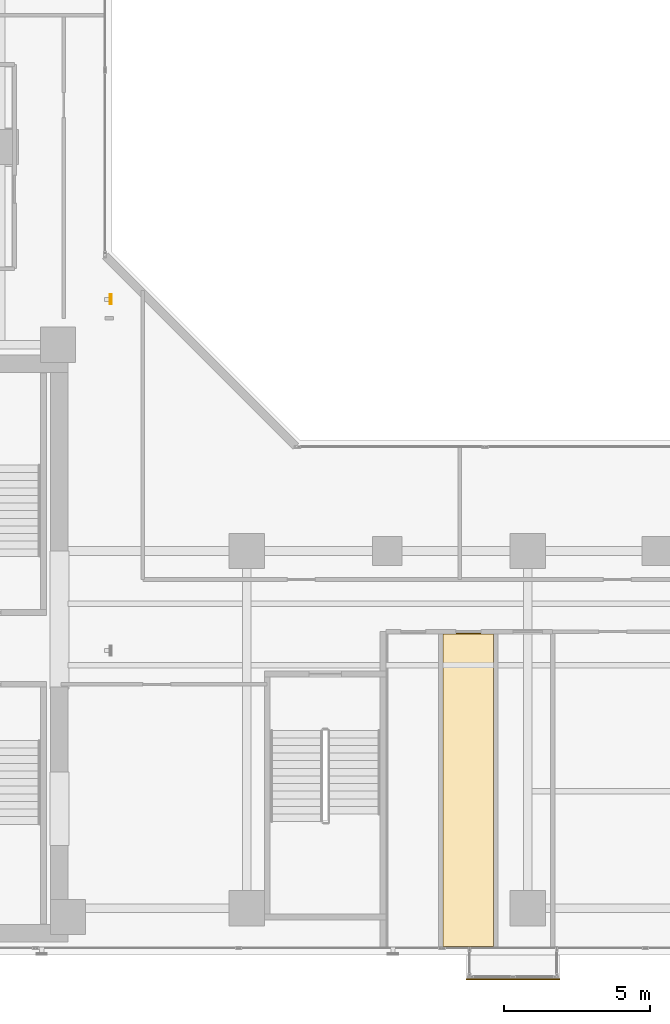
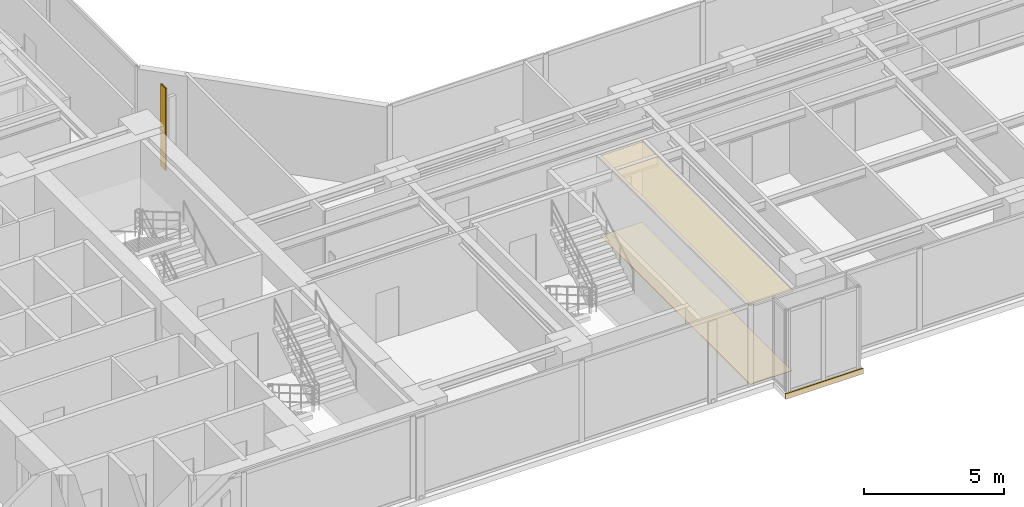
# One storey, part 27 of 28: 3 coverings, 1 shading device.
"""IFC4 building model written with IfcOpenShell, lengths in metres."""

from ifc_helpers import new_model, si_unit, direction, frame, origin, origin_2d, place, context, subcontext, project, spatial, polyline, rectangle, hollow_rectangle, outline, extrude, material, layer, layer_set, material_profile, profile_set, type_object, element, save


model = new_model("IFC4")

# Units and contexts
model_context = context("Model", 3, precision=1e-05, world=origin(), true_north=direction((0.0, 1.0)))
body_context = subcontext(model_context, "Body", "Model", "MODEL_VIEW")
ifc_project = project(units=[si_unit("LENGTHUNIT", "METRE"), si_unit("AREAUNIT", "SQUARE_METRE"), si_unit("VOLUMEUNIT", "CUBIC_METRE"), si_unit("PLANEANGLEUNIT", "RADIAN"), si_unit("MASSUNIT", "GRAM", prefix="KILO")], contexts=[model_context])

# Site, building, storey
site_placement = place(None, origin())
site = spatial("IfcSite", under=ifc_project, at=site_placement, CompositionType="ELEMENT")
building_placement = place(site_placement, origin())
building = spatial("IfcBuilding", under=site, at=building_placement, Name="Kolvaren Waterfront Exchange", CompositionType="ELEMENT")
storey_placement = place(building_placement, frame((0.0, 0.0, 146.199951171875)))
storey = spatial("IfcBuildingStorey", under=building, at=storey_placement, Name="L37", CompositionType="ELEMENT", Elevation=146.199951171875)

# Coverings
ifc_material_1 = material(Name="Mineral fibre acoustic ceiling tile")
ifc_layer_1 = layer(ifc_material_1, 0.02490234375, Name="Mineral fibre acoustic ceiling tile")
ifc_layer_set_1 = layer_set([ifc_layer_1], Name="Mineral fibre acoustic ceiling tile")
covering_type_1 = type_object("IfcCoveringType", Name="ARC-CEIL-ACOUSTIC-25", PredefinedType="CEILING", material=ifc_layer_set_1)
covering_1_placement = place(storey_placement, frame((0.0, 0.0, 3.445068359375)))
element("IfcCovering", 1, at=covering_1_placement, inside=storey, type_object=covering_type_1, Name="L37 acoustic suspended ceiling 3", PredefinedType="CEILING", context=body_context, shape_type="SweptSolid", body=[
    extrude(outline(polyline([(35.6650390625, 3.864990234375), (35.6650390625, 14.594970703125), (33.875, 14.594970703125), (33.875, 3.864990234375), (35.6650390625, 3.864990234375)])), origin(), (0.0, 0.0, 1.0), 0.02490234375),
])
ifc_material_2 = material(Name="Anodised bronze fascia aluminium", Category="aluminium")
ifc_layer_2 = layer(ifc_material_2, 0.034912109375, Name="Anodised bronze fascia aluminium")
ifc_layer_set_2 = layer_set([ifc_layer_2], Name="Anodised bronze fascia aluminium")
covering_type_2 = type_object("IfcCoveringType", Name="ARC-CLAD-BRONZE-35", PredefinedType="CLADDING", material=ifc_layer_set_2)
covering_2_placement = place(storey_placement, frame((36.300048828125, 2.77001953125, -0.2197265625), z_axis=(0.0, 0.0, 1.0), x_axis=(1.0, 0.0, 0.0)))
element("IfcCovering", 2, at=covering_2_placement, inside=storey, type_object=covering_type_2, Name="L37 ribbed anodised bronze bay-box fascia", PredefinedType="CLADDING", context=body_context, shape_type="SweptSolid", body=[
    extrude(rectangle(XDim=3.199951171875, YDim=0.034912109375, at=origin_2d()), origin(), (0.0, 0.0, 1.0), 0.239990234375),
])

# Shading device
ifc_material_3 = material(Name="Anodised bronze aluminium 6063-T6", Category="aluminium")
ifc_material_profile = material_profile(ifc_material_3, hollow_rectangle(XDim=0.06005859375, YDim=0.35009765625, WallThickness=0.0048828125, at=origin_2d()), Name="BRZ-FIN-350x60x5")
ifc_profile_set = profile_set([ifc_material_profile], Name="Anodised bronze aluminium 6063-T6")
shading_device_type = type_object("IfcShadingDeviceType", Name="ARC-FIN-350", PredefinedType="USERDEFINED", material=ifc_profile_set)
shading_device_placement = place(storey_placement, frame((22.56005859375, 26.0, 0.0), z_axis=(0.0, 0.0, 1.0), x_axis=(1.0, 0.0, 0.0)))
element("IfcShadingDevice", 3, at=shading_device_placement, inside=storey, type_object=shading_device_type, Name="L37 anodised bronze solar shading fin FIN-L37-E2", ObjectType="SOLAR FIN", PredefinedType="USERDEFINED", context=body_context, shape_type="SweptSolid", body=[
    extrude(hollow_rectangle(XDim=0.06005859375, YDim=0.35009765625, WallThickness=0.0048828125, at=origin_2d()), origin(), (0.0, 0.0, 1.0), 3.56005859375),
])

# Covering
ifc_material_4 = material(Name="Slip-resistant porcelain tile")
ifc_layer_3 = layer(ifc_material_4, 0.014892578125, Name="Slip-resistant porcelain tile")
ifc_layer_set_3 = layer_set([ifc_layer_3], Name="Slip-resistant porcelain tile")
covering_type_3 = type_object("IfcCoveringType", Name="ARC-FLR-PORC-15", PredefinedType="FLOORING", material=ifc_layer_set_3)
covering_3_placement = place(storey_placement, origin())
element("IfcCovering", 4, at=covering_3_placement, inside=storey, type_object=covering_type_3, Name="L37 floor finish 3", PredefinedType="FLOORING", context=body_context, shape_type="SweptSolid", body=[
    extrude(outline(polyline([(33.909912109375, 14.56005859375), (33.909912109375, 3.89990234375), (35.6298828125, 3.89990234375), (35.6298828125, 14.56005859375), (33.909912109375, 14.56005859375)])), origin(), (0.0, 0.0, 1.0), 0.01513671875),
])

save(model, "model.ifc")
